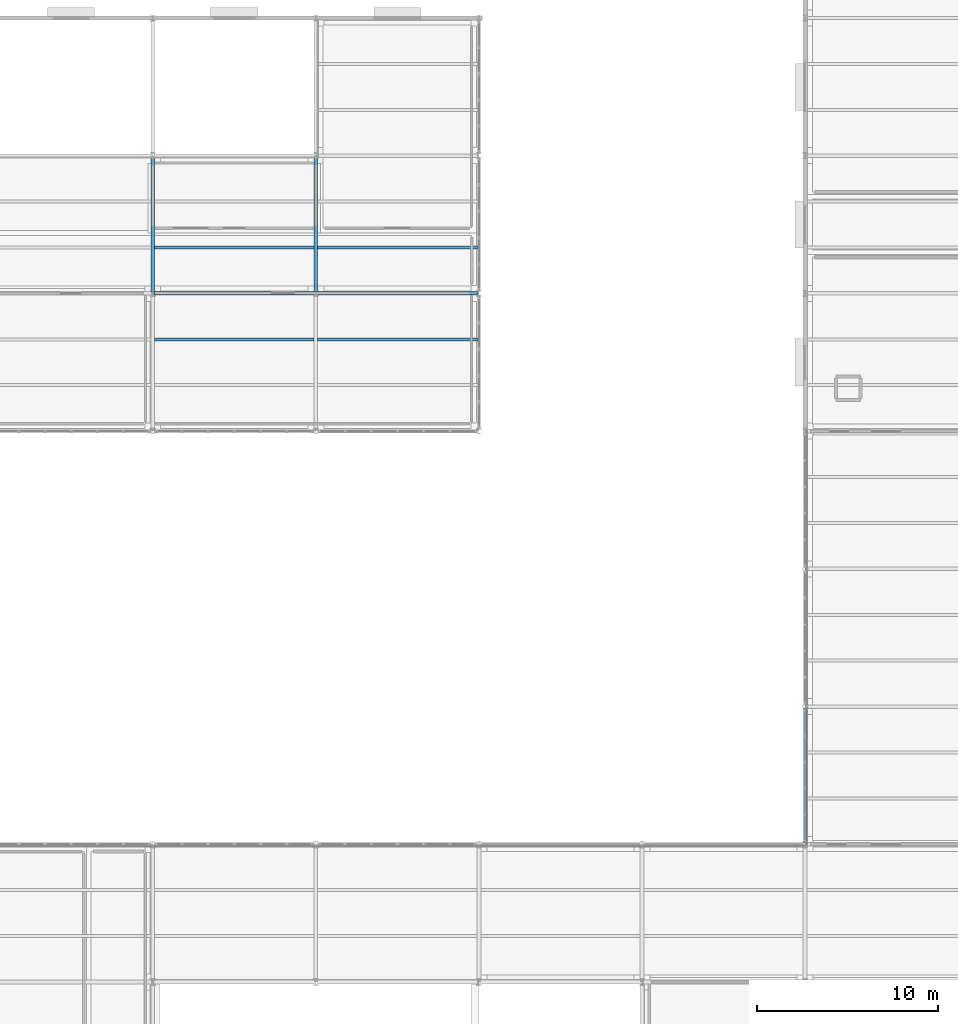
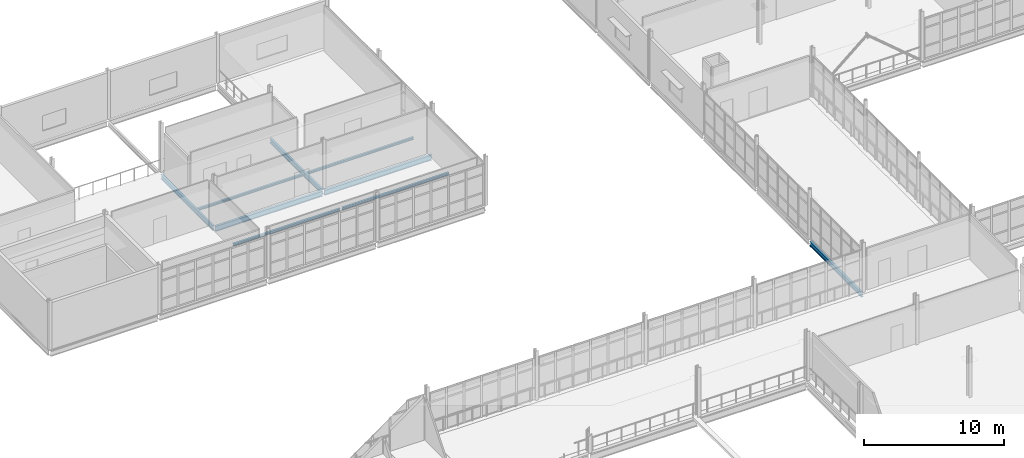
# One storey, part 70 of 174: 9 beams.
"""IFC4 building model written with IfcOpenShell, lengths in metres."""

from ifc_helpers import new_model, si_unit, direction, frame, origin, origin_2d, place, context, subcontext, project, spatial, i_section, extrude, material, material_profile, profile_set, type_object, element, save


model = new_model("IFC4")

# Units and contexts
model_context = context("Model", 3, precision=1e-05, world=origin(), true_north=direction((0.0, 1.0)))
body_context = subcontext(model_context, "Body", "Model", "MODEL_VIEW")
ifc_project = project(units=[si_unit("LENGTHUNIT", "METRE"), si_unit("AREAUNIT", "SQUARE_METRE"), si_unit("VOLUMEUNIT", "CUBIC_METRE"), si_unit("PLANEANGLEUNIT", "RADIAN"), si_unit("MASSUNIT", "GRAM", prefix="KILO")], contexts=[model_context])

# Site, building, storey
site_placement = place(None, origin())
site = spatial("IfcSite", under=ifc_project, at=site_placement, CompositionType="ELEMENT")
building_placement = place(site_placement, origin())
building = spatial("IfcBuilding", under=site, at=building_placement, Name="Caisbarro Railhouse Central Library", CompositionType="ELEMENT")
storey_placement = place(building_placement, frame((0.0, 0.0, 5.0400390625)))
storey = spatial("IfcBuildingStorey", under=building, at=storey_placement, Name="L01", CompositionType="ELEMENT", Elevation=5.0400390625)

# Beams
ifc_material = material(Name="Steel ASTM A572 Grade 50", Category="steel")
ifc_material_profile_1 = material_profile(ifc_material, i_section(OverallWidth=0.18994140625, OverallDepth=0.45703125, WebThickness=0.009033203125, FlangeThickness=0.014404296875, FilletRadius=0.01806640625, at=origin_2d()), Name="W460X74.0")
ifc_profile_set_1 = profile_set([ifc_material_profile_1], Name="Steel ASTM A572 Grade 50")
beam_type_1 = type_object("IfcBeamType", Name="BM-G08", PredefinedType="BEAM", material=ifc_profile_set_1)
for number, where, z_axis, x_axis, name in (
    (1, (18.080078125, 91.199951171875, -0.428466796875), (1.0, 0.0, 0.0), (0.0, 1.0, 0.0), "G08 beam L01 #1014"),
    (2, (27.080078125, 91.199951171875, -0.428466796875), (1.0, 0.0, 0.0), (0.0, 1.0, 0.0), "G08 beam L01 #1015"),
):
    element("IfcBeam", number, at=place(storey_placement, frame(where, z_axis=z_axis, x_axis=x_axis)), inside=storey, type_object=beam_type_1, Name=name, PredefinedType="BEAM", context=body_context, shape_type="SweptSolid", body=[
        extrude(i_section(OverallWidth=0.18994140625, OverallDepth=0.45703125, WebThickness=0.009033203125, FlangeThickness=0.014404296875, FilletRadius=0.01806640625, at=origin_2d()), origin(), (0.0, 0.0, 1.0), 8.83984375),
    ])
ifc_material_profile_2 = material_profile(ifc_material, i_section(OverallWidth=0.177978515625, OverallDepth=0.406982421875, WebThickness=0.0078125, FlangeThickness=0.0126953125, FilletRadius=0.01611328125, at=origin_2d()), Name="W410X60.0")
ifc_profile_set_2 = profile_set([ifc_material_profile_2], Name="Steel ASTM A572 Grade 50")
beam_type_2 = type_object("IfcBeamType", Name="BM-G10", PredefinedType="BEAM", material=ifc_profile_set_2)
for number, where, z_axis, x_axis, name in (
    (3, (18.0, 91.280029296875, -0.403564453125), (0.0, 1.0, 0.0), (-1.0, 0.0, 0.0), "G10 beam L01 #1031"),
    (4, (27.0, 91.280029296875, -0.403564453125), (0.0, 1.0, 0.0), (-1.0, 0.0, 0.0), "G10 beam L01 #1034"),
):
    element("IfcBeam", number, at=place(storey_placement, frame(where, z_axis=z_axis, x_axis=x_axis)), inside=storey, type_object=beam_type_2, Name=name, PredefinedType="BEAM", context=body_context, shape_type="SweptSolid", body=[
        extrude(i_section(OverallWidth=0.177978515625, OverallDepth=0.406982421875, WebThickness=0.0078125, FlangeThickness=0.0126953125, FilletRadius=0.01611328125, at=origin_2d()), origin(), (0.0, 0.0, 1.0), 7.43994140625),
    ])
beam_placement = place(storey_placement, frame((54.0, 60.8798828125, -0.403564453125), z_axis=(0.0, 1.0, 0.0), x_axis=(-1.0, 0.0, 0.0)))
element("IfcBeam", 5, at=beam_placement, inside=storey, type_object=beam_type_2, Name="G10 beam L01 #1248", PredefinedType="BEAM", context=body_context, shape_type="SweptSolid", body=[
    extrude(i_section(OverallWidth=0.177978515625, OverallDepth=0.406982421875, WebThickness=0.0078125, FlangeThickness=0.0126953125, FilletRadius=0.01611328125, at=origin_2d()), origin(), (0.0, 0.0, 1.0), 7.440185546875),
])
ifc_material_profile_3 = material_profile(ifc_material, i_section(OverallWidth=0.1650390625, OverallDepth=0.200927734375, WebThickness=0.006103515625, FlangeThickness=0.01025390625, FilletRadius=0.010009765625, at=origin_2d()), Name="W200X35.9")
ifc_profile_set_3 = profile_set([ifc_material_profile_3], Name="Steel ASTM A572 Grade 50")
beam_type_3 = type_object("IfcBeamType", Name="BM-J06", PredefinedType="JOIST", material=ifc_profile_set_3)
for number, where, z_axis, x_axis, name in (
    (6, (18.089111328125, 88.666748046875, -0.300537109375), (1.0, 0.0, 0.0), (0.0, 1.0, 0.0), "J06 beam L01 #1048"),
    (7, (18.089111328125, 93.7333984375, -0.300537109375), (1.0, 0.0, 0.0), (0.0, 1.0, 0.0), "J06 beam L01 #1049"),
    (8, (27.089111328125, 88.666748046875, -0.300537109375), (1.0, 0.0, 0.0), (0.0, 1.0, 0.0), "J06 beam L01 #1052"),
    (9, (27.089111328125, 93.7333984375, -0.300537109375), (1.0, 0.0, 0.0), (0.0, 1.0, 0.0), "J06 beam L01 #1053"),
):
    element("IfcBeam", number, at=place(storey_placement, frame(where, z_axis=z_axis, x_axis=x_axis)), inside=storey, type_object=beam_type_3, Name=name, PredefinedType="JOIST", context=body_context, shape_type="SweptSolid", body=[
        extrude(i_section(OverallWidth=0.1650390625, OverallDepth=0.200927734375, WebThickness=0.006103515625, FlangeThickness=0.01025390625, FilletRadius=0.010009765625, at=origin_2d()), origin(), (0.0, 0.0, 1.0), 8.82177734375),
    ])

save(model, "model.ifc")
